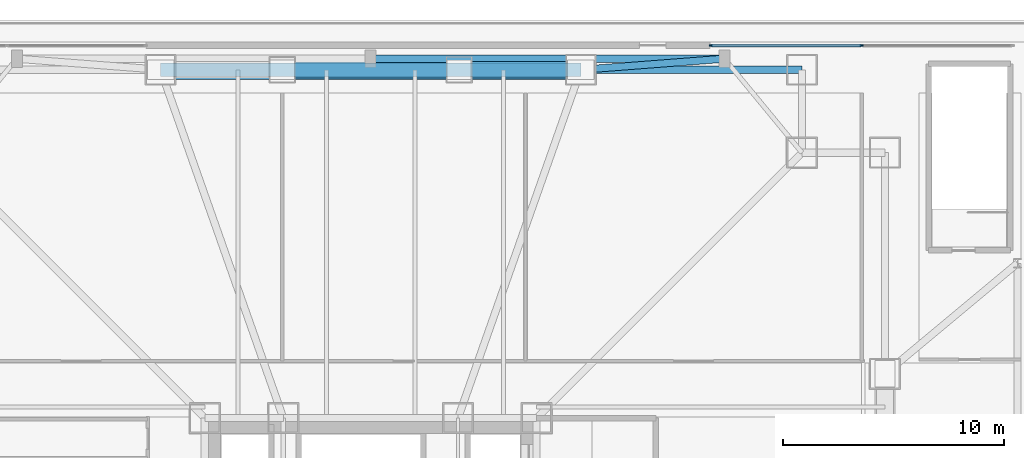
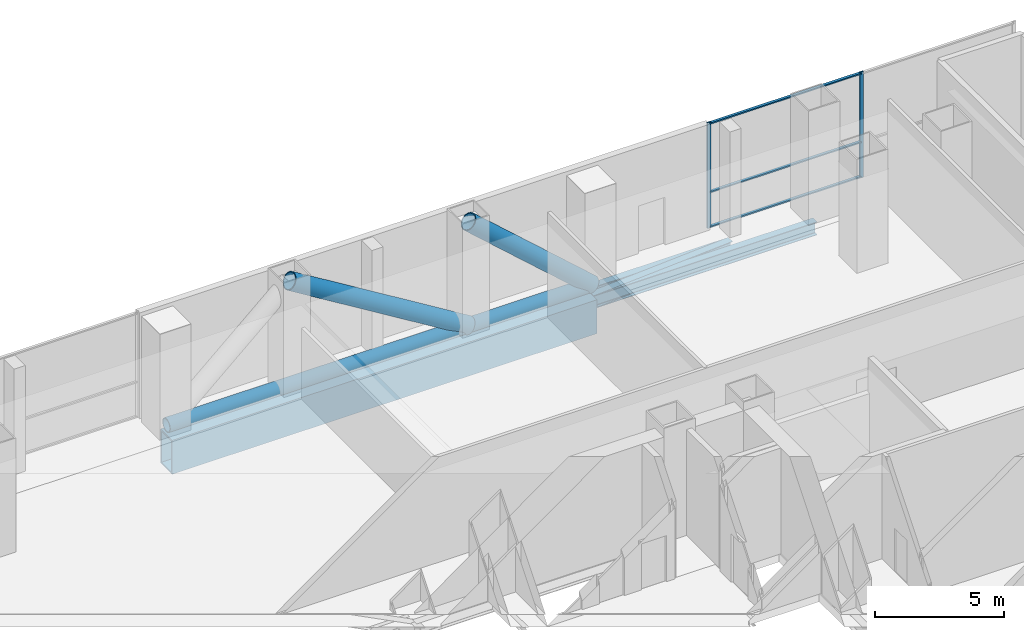
# One storey, part 11 of 21: 8 members, 4 beams, 1 element without a shape of its own.
"""IFC4 building model written with IfcOpenShell, lengths in metres."""

from ifc_helpers import new_model, si_unit, direction, frame, origin, origin_2d, place, context, subcontext, project, spatial, rectangle, hollow_rectangle, hollow_circle, i_section, extrude, material, layer, layer_set, material_profile, profile_set, type_object, element, aggregate, save


model = new_model("IFC4")

# Units and contexts
model_context = context("Model", 3, precision=1e-05, world=origin(), true_north=direction((0.0, 1.0)))
body_context = subcontext(model_context, "Body", "Model", "MODEL_VIEW")
ifc_project = project(units=[si_unit("LENGTHUNIT", "METRE"), si_unit("AREAUNIT", "SQUARE_METRE"), si_unit("VOLUMEUNIT", "CUBIC_METRE"), si_unit("PLANEANGLEUNIT", "RADIAN"), si_unit("MASSUNIT", "GRAM", prefix="KILO")], contexts=[model_context])

# Site, building, storey
site_placement = place(None, origin())
site = spatial("IfcSite", under=ifc_project, at=site_placement, CompositionType="ELEMENT")
building_placement = place(site_placement, origin())
building = spatial("IfcBuilding", under=site, at=building_placement, Name="Trevonay Congress Spire", CompositionType="ELEMENT")
storey_placement = place(building_placement, frame((0.0, 0.0, 21.60009765625)))
storey = spatial("IfcBuildingStorey", under=building, at=storey_placement, Name="L04", CompositionType="ELEMENT", Elevation=21.60009765625)

# Beams
ifc_material_1 = material(Name="Steel ASTM A572 Grade 50", Category="steel")
ifc_material_profile_1 = material_profile(ifc_material_1, i_section(OverallWidth=0.324951171875, OverallDepth=0.615966796875, WebThickness=0.013916015625, FlangeThickness=0.021484375, FilletRadius=0.01806640625, at=origin_2d()), Name="W610x174")
ifc_profile_set_1 = profile_set([ifc_material_profile_1], Name="Steel ASTM A572 Grade 50")
beam_type_1 = type_object("IfcBeamType", Name="BM-GIRD-W610X174", PredefinedType="BEAM", material=ifc_profile_set_1)
beam_1_placement = place(storey_placement, frame((9.5, 23.25, -0.7080078125), z_axis=(1.0, 0.0, 0.0), x_axis=(0.0, 1.0, 0.0)))
element("IfcBeam", 1, at=beam_1_placement, inside=storey, type_object=beam_type_1, Name="L04 structural beam BM-L04-MN3", PredefinedType="BEAM", context=body_context, shape_type="SweptSolid", body=[
    extrude(i_section(OverallWidth=0.324951171875, OverallDepth=0.615966796875, WebThickness=0.013916015625, FlangeThickness=0.021484375, FilletRadius=0.01806640625, at=origin_2d()), origin(), (0.0, 0.0, 1.0), 10.0),
])
beam_2_placement = place(storey_placement, frame((0.0, 23.75, -0.7080078125), z_axis=(1.0, 0.0, 0.0), x_axis=(0.0, 1.0, 0.0)))
element("IfcBeam", 2, at=beam_2_placement, inside=storey, type_object=beam_type_1, Name="L04 structural beam BM-L04-PIL-N2", PredefinedType="BEAM", context=body_context, shape_type="SweptSolid", body=[
    extrude(i_section(OverallWidth=0.324951171875, OverallDepth=0.615966796875, WebThickness=0.013916015625, FlangeThickness=0.021484375, FilletRadius=0.01806640625, at=origin_2d()), origin(), (0.0, 0.0, 1.0), 16.0),
])
beam_3_placement = place(storey_placement, frame((9.5, 23.25, -0.7080078125), z_axis=(0.997054485502, 0.076696498885, 0.0), x_axis=(-0.076696498885, 0.997054485502, 0.0)))
element("IfcBeam", 3, at=beam_3_placement, inside=storey, type_object=beam_type_1, Name="L04 structural beam BM-L04-PIL-TN2", PredefinedType="BEAM", context=body_context, shape_type="SweptSolid", body=[
    extrude(i_section(OverallWidth=0.324951171875, OverallDepth=0.615966796875, WebThickness=0.013916015625, FlangeThickness=0.021484375, FilletRadius=0.01806640625, at=origin_2d()), origin(), (0.0, 0.0, 1.0), 6.519287109375),
])
ifc_material_profile_2 = material_profile(ifc_material_1, hollow_rectangle(XDim=0.89990234375, YDim=1.60009765625, WallThickness=0.06005859375, at=origin_2d()), Name="BOX 1600x900x60")
ifc_profile_set_2 = profile_set([ifc_material_profile_2], Name="Steel ASTM A572 Grade 50")
beam_type_2 = type_object("IfcBeamType", Name="BM-XFER-BOX1600", PredefinedType="BEAM", material=ifc_profile_set_2)
beam_4_placement = place(storey_placement, frame((-9.5, 23.25, -1.2001953125), z_axis=(1.0, 0.0, 0.0), x_axis=(0.0, 1.0, 0.0)))
element("IfcBeam", 4, at=beam_4_placement, inside=storey, type_object=beam_type_2, Name="L04 structural beam BM-L04-MN2", PredefinedType="BEAM", context=body_context, shape_type="SweptSolid", body=[
    extrude(hollow_rectangle(XDim=0.89990234375, YDim=1.60009765625, WallThickness=0.06005859375, at=origin_2d()), origin(), (0.0, 0.0, 1.0), 19.0),
])

# Curtain wall, members
ifc_material_2 = material(Name="Pale Anodised Aluminium EN AW-6063-T6", Category="aluminium")
ifc_layer = layer(ifc_material_2, 0.179931640625, Name="Pale Anodised Aluminium EN AW-6063-T6")
ifc_layer_set = layer_set([ifc_layer], Name="Pale Anodised Aluminium EN AW-6063-T6")
curtain_wall_type = type_object("IfcCurtainWallType", Name="CW-SYS01-PODIUM-PALE-METAL", PredefinedType="NOTDEFINED", material=ifc_layer_set)
curtain_wall_placement = place(storey_placement, origin())
curtain_wall = element("IfcCurtainWall", 5, at=curtain_wall_placement, inside=storey, type_object=curtain_wall_type, Name="L04 N2 podium curtain wall", PredefinedType="NOTDEFINED")
ifc_material_profile_3 = material_profile(ifc_material_2, rectangle(XDim=0.06005859375, YDim=0.159912109375, at=origin_2d()), Name="CW-MULLION-160-ALUMINIUM")
ifc_profile_set_3 = profile_set([ifc_material_profile_3], Name="Pale Anodised Aluminium EN AW-6063-T6")
member_type_1 = type_object("IfcMemberType", Name="CW-MULLION-160-ALUMINIUM", PredefinedType="MULLION", material=ifc_profile_set_3)
member_1_placement = place(storey_placement, frame((15.3798828125, 24.35009765625, 0.0), z_axis=(0.0, 0.0, 1.0), x_axis=(0.0, 1.0, 0.0)))
member_1 = element("IfcMember", 6, at=member_1_placement, type_object=member_type_1, Name="CW01 mullion 1", PredefinedType="MULLION", context=body_context, shape_type="SweptSolid", body=[
    extrude(rectangle(XDim=0.06005859375, YDim=0.159912109375, at=origin_2d()), origin(), (0.0, 0.0, 1.0), 5.0),
])
member_2_placement = place(storey_placement, frame((22.199951171875, 24.35009765625, 0.0), z_axis=(0.0, 0.0, 1.0), x_axis=(0.0, 1.0, 0.0)))
member_2 = element("IfcMember", 7, at=member_2_placement, type_object=member_type_1, Name="CW01 mullion 2", PredefinedType="MULLION", context=body_context, shape_type="SweptSolid", body=[
    extrude(rectangle(XDim=0.06005859375, YDim=0.159912109375, at=origin_2d()), origin(), (0.0, 0.0, 1.0), 5.0),
])
ifc_material_profile_4 = material_profile(ifc_material_2, rectangle(XDim=0.1201171875, YDim=0.06005859375, at=origin_2d()), Name="CW-TRANSOM-120-ALUMINIUM")
ifc_profile_set_4 = profile_set([ifc_material_profile_4], Name="Pale Anodised Aluminium EN AW-6063-T6")
member_type_2 = type_object("IfcMemberType", Name="CW-TRANSOM-120-ALUMINIUM", PredefinedType="USERDEFINED", material=ifc_profile_set_4)
member_3_placement = place(storey_placement, frame((15.409912109375, 24.35009765625, 0.059814453125), z_axis=(1.0, 0.0, 0.0), x_axis=(0.0, 1.0, 0.0)))
member_3 = element("IfcMember", 8, at=member_3_placement, type_object=member_type_2, Name="CW01 transom 1.1", ObjectType="TRANSOM", PredefinedType="USERDEFINED", context=body_context, shape_type="SweptSolid", body=[
    extrude(rectangle(XDim=0.1201171875, YDim=0.06005859375, at=origin_2d()), origin(), (0.0, 0.0, 1.0), 6.760009765625),
])
member_4_placement = place(storey_placement, frame((15.409912109375, 24.35009765625, 1.699951171875), z_axis=(1.0, 0.0, 0.0), x_axis=(0.0, 1.0, 0.0)))
member_4 = element("IfcMember", 9, at=member_4_placement, type_object=member_type_2, Name="CW01 transom 1.2", ObjectType="TRANSOM", PredefinedType="USERDEFINED", context=body_context, shape_type="SweptSolid", body=[
    extrude(rectangle(XDim=0.1201171875, YDim=0.06005859375, at=origin_2d()), origin(), (0.0, 0.0, 1.0), 6.760009765625),
])
member_5_placement = place(storey_placement, frame((15.409912109375, 24.35009765625, 4.93994140625), z_axis=(1.0, 0.0, 0.0), x_axis=(0.0, 1.0, 0.0)))
member_5 = element("IfcMember", 10, at=member_5_placement, type_object=member_type_2, Name="CW01 transom 1.3", ObjectType="TRANSOM", PredefinedType="USERDEFINED", context=body_context, shape_type="SweptSolid", body=[
    extrude(rectangle(XDim=0.1201171875, YDim=0.06005859375, at=origin_2d()), origin(), (0.0, 0.0, 1.0), 6.760009765625),
])
aggregate(curtain_wall, [member_1, member_2, member_3, member_4, member_5])

# Members
ifc_material_profile_5 = material_profile(ifc_material_1, hollow_circle(Radius=0.304931640625, WallThickness=0.031982421875, at=origin_2d()), Name="CHS 610x32")
ifc_profile_set_5 = profile_set([ifc_material_profile_5], Name="Steel ASTM A572 Grade 50")
member_type_3 = type_object("IfcMemberType", Name="MBR-CHORD-CHS610", PredefinedType="CHORD", material=ifc_profile_set_5)
member_6_placement = place(storey_placement, frame((-9.5, 23.25, 0.0498046875), z_axis=(1.0, 0.0, 0.0), x_axis=(0.0, 1.0, 0.0)))
element("IfcMember", 11, at=member_6_placement, inside=storey, type_object=member_type_3, Name="Podium 24m hall transfer truss N bottom chord", PredefinedType="CHORD", context=body_context, shape_type="SweptSolid", body=[
    extrude(hollow_circle(Radius=0.304931640625, WallThickness=0.031982421875, at=origin_2d()), origin(), (0.0, 0.0, 1.0), 19.0),
])
ifc_material_profile_6 = material_profile(ifc_material_1, hollow_circle(Radius=0.381103515625, WallThickness=0.0400390625, at=origin_2d()), Name="CHS 762x40")
ifc_profile_set_6 = profile_set([ifc_material_profile_6], Name="Steel ASTM A572 Grade 50")
member_type_4 = type_object("IfcMemberType", Name="MBR-OUTRIG-CHS762", PredefinedType="BRACE", material=ifc_profile_set_6)
member_7_placement = place(storey_placement, frame((-4.0, 23.25, 4.949951171875), z_axis=(0.85274746011, 0.0, -0.522323433589), x_axis=(0.0, 1.0, 0.0)))
element("IfcMember", 12, at=member_7_placement, inside=storey, type_object=member_type_4, Name="Podium 24m hall transfer truss N diagonal 2", PredefinedType="BRACE", context=body_context, shape_type="SweptSolid", body=[
    extrude(hollow_circle(Radius=0.381103515625, WallThickness=0.0400390625, at=origin_2d()), origin(), (0.0, 0.0, 1.0), 9.38134765625),
])
member_8_placement = place(storey_placement, frame((9.5, 23.25, 0.0498046875), z_axis=(-0.746649966155, 0.0, 0.665217128493), x_axis=(0.0, -1.0, 0.0)))
element("IfcMember", 13, at=member_8_placement, inside=storey, type_object=member_type_4, Name="Podium 24m hall transfer truss N diagonal 3", PredefinedType="BRACE", context=body_context, shape_type="SweptSolid", body=[
    extrude(hollow_circle(Radius=0.381103515625, WallThickness=0.0400390625, at=origin_2d()), origin(), (0.0, 0.0, 1.0), 7.3662109375),
])

save(model, "model.ifc")
